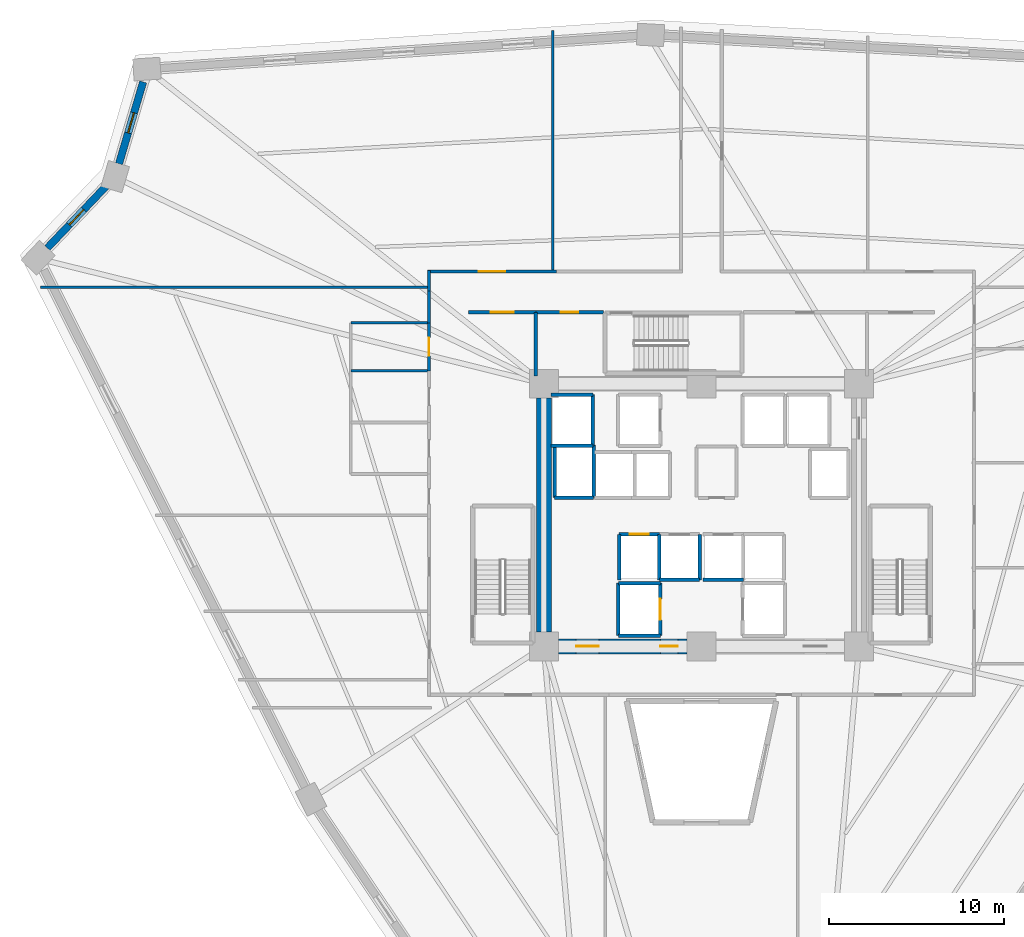
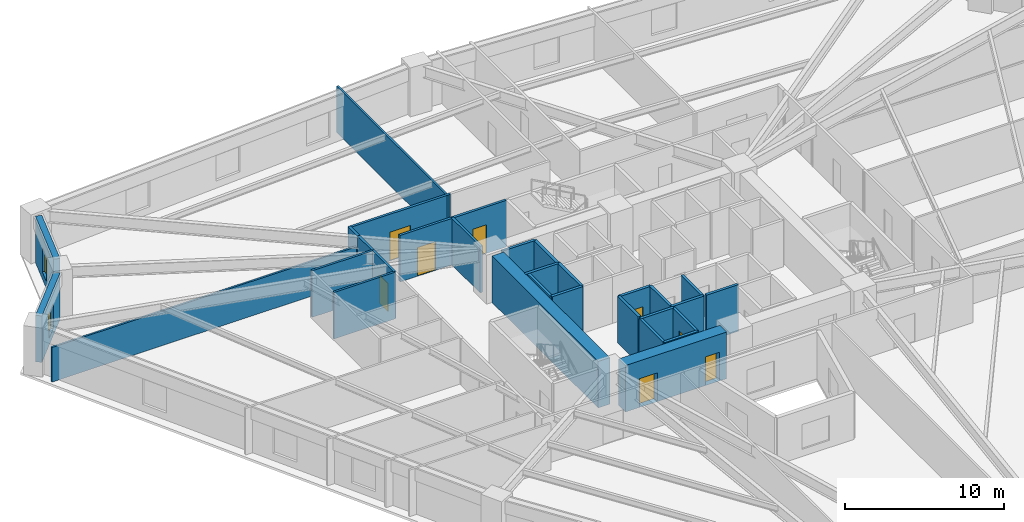
# One storey, part 4 of 8: 31 walls, 8 doors, 2 windows, 10 openings.
"""IFC4 building model written with IfcOpenShell, lengths in metres."""

from ifc_helpers import new_model, si_unit, direction, frame, frame_2d, origin, place, context, subcontext, project, spatial, rectangle, extrude, source, transform, mapped, material, layer, layer_set, type_object, element, fill, save


model = new_model("IFC4")

# Units and contexts
model_context = context("Model", 3, precision=1e-05, world=origin(), true_north=direction((0.0, 1.0)))
body_context = subcontext(model_context, "Body", "Model", "MODEL_VIEW")
ifc_project = project(units=[si_unit("LENGTHUNIT", "METRE"), si_unit("AREAUNIT", "SQUARE_METRE"), si_unit("VOLUMEUNIT", "CUBIC_METRE"), si_unit("PLANEANGLEUNIT", "RADIAN"), si_unit("MASSUNIT", "GRAM", prefix="KILO")], contexts=[model_context])

# Site, building, storey
site_placement = place(None, origin())
site = spatial("IfcSite", under=ifc_project, at=site_placement, CompositionType="ELEMENT")
building_placement = place(site_placement, origin())
building = spatial("IfcBuilding", under=site, at=building_placement, Name="Liaohun Quay Tower", CompositionType="ELEMENT")
storey_placement = place(building_placement, frame((0.0, 0.0, 81.75)))
storey = spatial("IfcBuildingStorey", under=building, at=storey_placement, Name="L21", CompositionType="ELEMENT", Elevation=81.75)

# Wall, openings, doors
ifc_material_1 = material(Name="Concrete C60", Category="concrete")
ifc_layer_1 = layer(ifc_material_1, 0.85009765625, Name="Concrete C60", Category="concrete")
ifc_layer_set_1 = layer_set([ifc_layer_1], Name="Concrete C60")
wall_type_1 = type_object("IfcWallType", Name="WAL-COR-Z1", PredefinedType="SHEAR", material=ifc_layer_set_1)
wall_1_placement = place(storey_placement, frame((59.175048828125, 46.5, 0.0), z_axis=(0.0, 0.0, 1.0), x_axis=(-1.0, 0.0, 0.0)))
wall_1 = element("IfcWall", 1, at=wall_1_placement, inside=storey, type_object=wall_type_1, Name="L21 Central Core Shear Wall S-W", PredefinedType="SHEAR", context=body_context, shape_type="SweptSolid", body=[
    extrude(rectangle(XDim=7.35009765625, YDim=0.85009765625, at=frame_2d((3.675048828125, 0.0))), origin(), (0.0, 0.0, 1.0), 3.570068359375),
])
shared_shape_1 = source(origin(), body_context, "Body", "SweptSolid", [
    extrude(rectangle(XDim=1.300048828125, YDim=2.199951171875, at=frame_2d((0.64990234375, 1.10009765625))), frame((0.0, 0.43505859375, 0.0), z_axis=(0.0, -1.0, 0.0), x_axis=(1.0, 0.0, 0.0)), (0.0, 0.0, 1.0), 0.8701171875),
])
opening_1_placement = place(wall_1_placement, frame((5.02490234375, 0.0, 0.0)))
opening_1 = element("IfcOpeningElement", 2, at=opening_1_placement, cuts=wall_1, Name="Opening FD1", PredefinedType="OPENING", context=body_context, shape_type="MappedRepresentation", body=[
    mapped(shared_shape_1, transform((0.0, 0.0, 0.0), x_axis=(1.0, 0.0, 0.0), y_axis=(0.0, 1.0, 0.0), z_axis=(0.0, 0.0, 1.0), scale=1.0)),
])
shared_shape_2 = source(origin(), body_context, "Body", "SweptSolid", [
    extrude(rectangle(XDim=1.0, YDim=2.199951171875, at=frame_2d((0.5, 1.10009765625))), frame((0.0, 0.43505859375, 0.0), z_axis=(0.0, -1.0, 0.0), x_axis=(1.0, 0.0, 0.0)), (0.0, 0.0, 1.0), 0.8701171875),
])
opening_2_placement = place(wall_1_placement, frame((0.52490234375, 0.0, 0.0)))
opening_2 = element("IfcOpeningElement", 3, at=opening_2_placement, cuts=wall_1, Name="Opening FD2", PredefinedType="OPENING", context=body_context, shape_type="MappedRepresentation", body=[
    mapped(shared_shape_2, transform((0.0, 0.0, 0.0), x_axis=(1.0, 0.0, 0.0), y_axis=(0.0, 1.0, 0.0), z_axis=(0.0, 0.0, 1.0), scale=1.0)),
])
ifc_material_2 = material(Name="Galvanised steel smokeproof fire door", Category="steel")
door_type_1 = type_object("IfcDoorType", Name="DOR-FFL-1300", OperationType="NOTDEFINED", PredefinedType="DOOR", material=ifc_material_2)
shared_shape_3 = source(origin(), body_context, "Body", "SweptSolid", [
    extrude(rectangle(XDim=1.300048828125, YDim=2.199951171875, at=frame_2d((0.64990234375, 1.10009765625))), frame((0.0, 0.02490234375, 0.0), z_axis=(0.0, -1.0, 0.0), x_axis=(1.0, 0.0, 0.0)), (0.0, 0.0, 1.0), 0.050048828125),
])
door_1_placement = place(opening_1_placement, origin())
door_1 = element("IfcDoor", 4, at=door_1_placement, inside=storey, type_object=door_type_1, Name="L21 West Core Lift Lobby Smokeproof Door", OperationType="SINGLE_SWING_RIGHT", OverallHeight=2.199951171875, OverallWidth=1.300048828125, PredefinedType="DOOR", context=body_context, shape_type="MappedRepresentation", body=[
    mapped(shared_shape_3, transform((0.0, 0.0, 0.0), x_axis=(1.0, 0.0, 0.0), y_axis=(0.0, 1.0, 0.0), z_axis=(0.0, 0.0, 1.0), scale=1.0)),
])
fill(opening_1, door_1)
ifc_material_3 = material(Name="Galvanised steel smokeproof lobby fire door", Category="steel")
door_type_2 = type_object("IfcDoorType", Name="DOR-FFL-1000", OperationType="NOTDEFINED", PredefinedType="DOOR", material=ifc_material_3)
shared_shape_4 = source(origin(), body_context, "Body", "SweptSolid", [
    extrude(rectangle(XDim=1.0, YDim=2.199951171875, at=frame_2d((0.5, 1.10009765625))), frame((0.0, 0.02490234375, 0.0), z_axis=(0.0, -1.0, 0.0), x_axis=(1.0, 0.0, 0.0)), (0.0, 0.0, 1.0), 0.050048828125),
])
door_2_placement = place(opening_2_placement, origin())
door_2 = element("IfcDoor", 5, at=door_2_placement, inside=storey, type_object=door_type_2, Name="L21 South Firefighting Lobby Smokeproof Door", OperationType="SINGLE_SWING_LEFT", OverallHeight=2.199951171875, OverallWidth=1.0, PredefinedType="DOOR", context=body_context, shape_type="MappedRepresentation", body=[
    mapped(shared_shape_4, transform((0.0, 0.0, 0.0), x_axis=(1.0, 0.0, 0.0), y_axis=(0.0, 1.0, 0.0), z_axis=(0.0, 0.0, 1.0), scale=1.0)),
])
fill(opening_2, door_2)

# Wall
wall_2_placement = place(storey_placement, frame((51.0, 47.324951171875, 0.0), z_axis=(0.0, 0.0, 1.0), x_axis=(0.0, 1.0, 0.0)))
element("IfcWall", 6, at=wall_2_placement, inside=storey, type_object=wall_type_1, Name="L21 Central Core Shear Wall W", PredefinedType="SHEAR", context=body_context, shape_type="SweptSolid", body=[
    extrude(rectangle(XDim=13.35009765625, YDim=0.85009765625, at=frame_2d((6.675048828125, 0.0))), origin(), (0.0, 0.0, 1.0), 3.570068359375),
])

# Wall, opening, window
ifc_material_4 = material(Name="Precast concrete C50 insulated sandwich", Category="concrete")
ifc_layer_2 = layer(ifc_material_4, 0.419921875, Name="Precast concrete C50 insulated sandwich", Category="concrete")
ifc_layer_set_2 = layer_set([ifc_layer_2], Name="Precast concrete C50 insulated sandwich")
wall_type_2 = type_object("IfcWallType", Name="WAL-EXT-Z12", PredefinedType="SOLIDWALL", material=ifc_layer_set_2)
wall_3_placement = place(storey_placement, frame((28.1201171875, 78.73291015625, 0.0), z_axis=(0.0, 0.0, 1.0), x_axis=(-0.282885215884, -0.959153770067, 0.0)))
wall_3 = element("IfcWall", 7, at=wall_3_placement, inside=storey, type_object=wall_type_2, Name="L21 Brutalist Precast Pier Wall 08", PredefinedType="SOLIDWALL", context=body_context, shape_type="SweptSolid", body=[
    extrude(rectangle(XDim=4.871826171875, YDim=0.419921875, at=frame_2d((2.43603515625, 0.0))), origin(), (0.0, 0.0, 1.0), 3.570068359375),
])
shared_shape_5 = source(origin(), body_context, "Body", "SweptSolid", [
    extrude(rectangle(XDim=1.199951171875, YDim=1.89990234375, at=frame_2d((0.60009765625, 0.949951171875))), frame((0.0, 0.219970703125, 0.0), z_axis=(0.0, -1.0, 0.0), x_axis=(1.0, 0.0, 0.0)), (0.0, 0.0, 1.0), 0.43994140625),
])
opening_3_placement = place(wall_3_placement, frame((1.8359375, 0.0, 0.550048828125)))
opening_3 = element("IfcOpeningElement", 8, at=opening_3_placement, cuts=wall_3, Name="Opening W05", PredefinedType="OPENING", context=body_context, shape_type="MappedRepresentation", body=[
    mapped(shared_shape_5, transform((0.0, 0.0, 0.0), x_axis=(1.0, 0.0, 0.0), y_axis=(0.0, 1.0, 0.0), z_axis=(0.0, 0.0, 1.0), scale=1.0)),
])
ifc_material_5 = material(Name="Triple Low-E corner notch glazing", Category="glass")
window_type = type_object("IfcWindowType", Name="WIN-NOTCH", PartitioningType="SINGLE_PANEL", PredefinedType="WINDOW", material=ifc_material_5)
shared_shape_6 = source(origin(), body_context, "Body", "SweptSolid", [
    extrude(rectangle(XDim=1.199951171875, YDim=1.89990234375, at=frame_2d((0.60009765625, 0.949951171875))), frame((0.0, 0.030029296875, 0.0), z_axis=(0.0, -1.0, 0.0), x_axis=(1.0, 0.0, 0.0)), (0.0, 0.0, 1.0), 0.06005859375),
])
window_1_placement = place(opening_3_placement, origin())
window_1 = element("IfcWindow", 9, at=window_1_placement, inside=storey, type_object=window_type, Name="L21 Corner Notch Window W05-08", OverallHeight=1.89990234375, OverallWidth=1.199951171875, PartitioningType="SINGLE_PANEL", PredefinedType="WINDOW", context=body_context, shape_type="MappedRepresentation", body=[
    mapped(shared_shape_6, transform((0.0, 0.0, 0.0), x_axis=(1.0, 0.0, 0.0), y_axis=(0.0, 1.0, 0.0), z_axis=(0.0, 0.0, 1.0), scale=1.0)),
])
fill(opening_3, window_1)

wall_4_placement = place(storey_placement, frame((25.9990234375, 72.77197265625, 0.0), z_axis=(0.0, 0.0, 1.0), x_axis=(-0.689326835279, -0.724450491175, 0.0)))
wall_4 = element("IfcWall", 10, at=wall_4_placement, inside=storey, type_object=wall_type_2, Name="L21 Brutalist Precast Pier Wall 09", PredefinedType="SOLIDWALL", context=body_context, shape_type="SweptSolid", body=[
    extrude(rectangle(XDim=4.86572265625, YDim=0.419921875, at=frame_2d((2.432861328125, 0.0))), origin(), (0.0, 0.0, 1.0), 3.570068359375),
])
opening_4_placement = place(wall_4_placement, frame((1.8330078125, 0.0, 0.550048828125)))
opening_4 = element("IfcOpeningElement", 11, at=opening_4_placement, cuts=wall_4, Name="Opening W05", PredefinedType="OPENING", context=body_context, shape_type="MappedRepresentation", body=[
    mapped(shared_shape_5, transform((0.0, 0.0, 0.0), x_axis=(1.0, 0.0, 0.0), y_axis=(0.0, 1.0, 0.0), z_axis=(0.0, 0.0, 1.0), scale=1.0)),
])
window_2_placement = place(opening_4_placement, origin())
window_2 = element("IfcWindow", 12, at=window_2_placement, inside=storey, type_object=window_type, Name="L21 Corner Notch Window W05-09", OverallHeight=1.89990234375, OverallWidth=1.199951171875, PartitioningType="SINGLE_PANEL", PredefinedType="WINDOW", context=body_context, shape_type="MappedRepresentation", body=[
    mapped(shared_shape_6, transform((0.0, 0.0, 0.0), x_axis=(1.0, 0.0, 0.0), y_axis=(0.0, 1.0, 0.0), z_axis=(0.0, 0.0, 1.0), scale=1.0)),
])
fill(opening_4, window_2)

# Wall, opening, door
ifc_material_6 = material(Name="Autoclaved aerated concrete blockwork", Category="masonry")
ifc_layer_3 = layer(ifc_material_6, 0.179931640625, Name="Autoclaved aerated concrete blockwork", Category="masonry")
ifc_layer_set_3 = layer_set([ifc_layer_3], Name="Autoclaved aerated concrete blockwork")
wall_type_3 = type_object("IfcWallType", Name="WAL-PRT-COR", PredefinedType="PARTITIONING", material=ifc_layer_set_3)
wall_5_placement = place(storey_placement, frame((50.5400390625, 65.580078125, 0.0), z_axis=(0.0, 0.0, 1.0), x_axis=(1.0, 0.0, 0.0)))
wall_5 = element("IfcWall", 13, at=wall_5_placement, inside=storey, type_object=wall_type_3, Name="L21 Interior Partition Wall 005", PredefinedType="PARTITIONING", context=body_context, shape_type="SweptSolid", body=[
    extrude(rectangle(XDim=3.869873046875, YDim=0.179931640625, at=frame_2d((1.93505859375, 0.0))), origin(), (0.0, 0.0, 1.0), 3.570068359375),
])
shared_shape_7 = source(origin(), body_context, "Body", "SweptSolid", [
    extrude(rectangle(XDim=1.0, YDim=2.199951171875, at=frame_2d((0.5, 1.10009765625))), frame((0.0, 0.099853515625, 0.0), z_axis=(0.0, -1.0, 0.0), x_axis=(1.0, 0.0, 0.0)), (0.0, 0.0, 1.0), 0.199951171875),
])
opening_5_placement = place(wall_5_placement, frame((1.43505859375, 0.0, 0.0)))
opening_5 = element("IfcOpeningElement", 14, at=opening_5_placement, cuts=wall_5, Name="Opening OD1", PredefinedType="OPENING", context=body_context, shape_type="MappedRepresentation", body=[
    mapped(shared_shape_7, transform((0.0, 0.0, 0.0), x_axis=(1.0, 0.0, 0.0), y_axis=(0.0, 1.0, 0.0), z_axis=(0.0, 0.0, 1.0), scale=1.0)),
])
ifc_material_7 = material(Name="Solid-core oak veneer timber leaf in steel frame", Category="steel")
door_type_3 = type_object("IfcDoorType", Name="DOR-OFF-1000", OperationType="NOTDEFINED", PredefinedType="DOOR", material=ifc_material_7)
door_3_placement = place(opening_5_placement, origin())
door_3 = element("IfcDoor", 15, at=door_3_placement, inside=storey, type_object=door_type_3, Name="L21 North-West Print and Telecom Room Door", OperationType="SINGLE_SWING_LEFT", OverallHeight=2.199951171875, OverallWidth=1.0, PredefinedType="DOOR", context=body_context, shape_type="MappedRepresentation", body=[
    mapped(shared_shape_4, transform((0.0, 0.0, 0.0), x_axis=(1.0, 0.0, 0.0), y_axis=(0.0, 1.0, 0.0), z_axis=(0.0, 0.0, 1.0), scale=1.0)),
])
fill(opening_5, door_3)

wall_6_placement = place(storey_placement, frame((46.699951171875, 65.580078125, 0.0), z_axis=(0.0, 0.0, 1.0), x_axis=(1.0, 0.0, 0.0)))
wall_6 = element("IfcWall", 16, at=wall_6_placement, inside=storey, type_object=wall_type_3, Name="L21 Interior Partition Wall 007", PredefinedType="PARTITIONING", context=body_context, shape_type="SweptSolid", body=[
    extrude(rectangle(XDim=3.840087890625, YDim=0.179931640625, at=frame_2d((1.919921875, 0.0))), origin(), (0.0, 0.0, 1.0), 3.570068359375),
])
shared_shape_8 = source(origin(), body_context, "Body", "SweptSolid", [
    extrude(rectangle(XDim=1.300048828125, YDim=2.199951171875, at=frame_2d((0.64990234375, 1.10009765625))), frame((0.0, 0.099853515625, 0.0), z_axis=(0.0, -1.0, 0.0), x_axis=(1.0, 0.0, 0.0)), (0.0, 0.0, 1.0), 0.199951171875),
])
opening_6_placement = place(wall_6_placement, frame((1.27001953125, 0.0, 0.0)))
opening_6 = element("IfcOpeningElement", 17, at=opening_6_placement, cuts=wall_6, Name="Opening FD1", PredefinedType="OPENING", context=body_context, shape_type="MappedRepresentation", body=[
    mapped(shared_shape_8, transform((0.0, 0.0, 0.0), x_axis=(1.0, 0.0, 0.0), y_axis=(0.0, 1.0, 0.0), z_axis=(0.0, 0.0, 1.0), scale=1.0)),
])
door_4_placement = place(opening_6_placement, origin())
door_4 = element("IfcDoor", 18, at=door_4_placement, inside=storey, type_object=door_type_1, Name="L21 West Core Vestibule Door", OperationType="SINGLE_SWING_LEFT", OverallHeight=2.199951171875, OverallWidth=1.300048828125, PredefinedType="DOOR", context=body_context, shape_type="MappedRepresentation", body=[
    mapped(shared_shape_3, transform((0.0, 0.0, 0.0), x_axis=(1.0, 0.0, 0.0), y_axis=(0.0, 1.0, 0.0), z_axis=(0.0, 0.0, 1.0), scale=1.0)),
])
fill(opening_6, door_4)

wall_7_placement = place(storey_placement, frame((44.3701171875, 67.909912109375, 0.0), z_axis=(0.0, 0.0, 1.0), x_axis=(1.0, 0.0, 0.0)))
wall_7 = element("IfcWall", 19, at=wall_7_placement, inside=storey, type_object=wall_type_3, Name="L21 Interior Partition Wall 015", PredefinedType="PARTITIONING", context=body_context, shape_type="SweptSolid", body=[
    extrude(rectangle(XDim=7.344970703125, YDim=0.179931640625, at=frame_2d((3.67236328125, 0.0))), origin(), (0.0, 0.0, 1.0), 3.570068359375),
])
shared_shape_9 = source(origin(), body_context, "Body", "SweptSolid", [
    extrude(rectangle(XDim=1.5, YDim=2.199951171875, at=frame_2d((0.75, 1.10009765625))), frame((0.0, 0.099853515625, 0.0), z_axis=(0.0, -1.0, 0.0), x_axis=(1.0, 0.0, 0.0)), (0.0, 0.0, 1.0), 0.199951171875),
])
opening_7_placement = place(wall_7_placement, frame((2.923095703125, 0.0, 0.0)))
opening_7 = element("IfcOpeningElement", 20, at=opening_7_placement, cuts=wall_7, Name="Opening OD2", PredefinedType="OPENING", context=body_context, shape_type="MappedRepresentation", body=[
    mapped(shared_shape_9, transform((0.0, 0.0, 0.0), x_axis=(1.0, 0.0, 0.0), y_axis=(0.0, 1.0, 0.0), z_axis=(0.0, 0.0, 1.0), scale=1.0)),
])
ifc_material_8 = material(Name="Acoustic oak veneer double door")
door_type_4 = type_object("IfcDoorType", Name="DOR-OFF-1500", OperationType="DOUBLE_DOOR_SINGLE_SWING", PredefinedType="DOOR", material=ifc_material_8)
shared_shape_10 = source(origin(), body_context, "Body", "SweptSolid", [
    extrude(rectangle(XDim=1.5, YDim=2.199951171875, at=frame_2d((0.75, 1.10009765625))), frame((0.0, 0.02490234375, 0.0), z_axis=(0.0, -1.0, 0.0), x_axis=(1.0, 0.0, 0.0)), (0.0, 0.0, 1.0), 0.050048828125),
])
door_5_placement = place(opening_7_placement, origin())
door_5 = element("IfcDoor", 21, at=door_5_placement, inside=storey, type_object=door_type_4, Name="L21 Architectural Design Studio 07 Door", OperationType="DOUBLE_DOOR_SINGLE_SWING", OverallHeight=2.199951171875, OverallWidth=1.5, PredefinedType="DOOR", context=body_context, shape_type="MappedRepresentation", body=[
    mapped(shared_shape_10, transform((0.0, 0.0, 0.0), x_axis=(1.0, 0.0, 0.0), y_axis=(0.0, 1.0, 0.0), z_axis=(0.0, 0.0, 1.0), scale=1.0)),
])
fill(opening_7, door_5)

# Walls
wall_8_placement = place(storey_placement, frame((50.5400390625, 61.949951171875, 0.0), z_axis=(0.0, 0.0, 1.0), x_axis=(0.0, 1.0, 0.0)))
element("IfcWall", 22, at=wall_8_placement, inside=storey, type_object=wall_type_3, Name="L21 Interior Partition Wall 031", PredefinedType="PARTITIONING", context=body_context, shape_type="SweptSolid", body=[
    extrude(rectangle(XDim=3.630126953125, YDim=0.179931640625, at=frame_2d((1.81494140625, 0.0))), origin(), (0.0, 0.0, 1.0), 3.570068359375),
])
wall_9_placement = place(storey_placement, frame((44.43994140625, 66.784912109375, 0.0), z_axis=(0.0, 0.0, 1.0), x_axis=(0.0, 1.0, 0.0)))
element("IfcWall", 23, at=wall_9_placement, inside=storey, type_object=wall_type_3, Name="L21 Interior Partition Wall 036", PredefinedType="PARTITIONING", context=body_context, shape_type="SweptSolid", body=[
    extrude(rectangle(XDim=1.195068359375, YDim=0.179931640625, at=frame_2d((0.59765625, 0.0))), origin(), (0.0, 0.0, 1.0), 3.570068359375),
])
wall_10_placement = place(storey_placement, frame((44.43994140625, 64.97998046875, 0.0), z_axis=(0.0, 0.0, 1.0), x_axis=(0.0, 1.0, 0.0)))
element("IfcWall", 24, at=wall_10_placement, inside=storey, type_object=wall_type_3, Name="L21 Interior Partition Wall 037", PredefinedType="PARTITIONING", context=body_context, shape_type="SweptSolid", body=[
    extrude(rectangle(XDim=1.804931640625, YDim=0.179931640625, at=frame_2d((0.90234375, 0.0))), origin(), (0.0, 0.0, 1.0), 3.570068359375),
])
ifc_material_9 = material(Name="Gypsum board on twin steel studs", Category="steel")
ifc_layer_4 = layer(ifc_material_9, 0.139892578125, Name="Gypsum board on twin steel studs", Category="steel")
ifc_layer_set_4 = layer_set([ifc_layer_4], Name="Gypsum board on twin steel studs")
wall_type_4 = type_object("IfcWallType", Name="WAL-PRT-OFF", PredefinedType="PARTITIONING", material=ifc_layer_set_4)
wall_11_placement = place(storey_placement, frame((44.5400390625, 67.0, 0.0), z_axis=(0.0, 0.0, 1.0), x_axis=(-1.0, 0.0, 0.0)))
element("IfcWall", 25, at=wall_11_placement, inside=storey, type_object=wall_type_4, Name="L21 Interior Partition Wall 044", PredefinedType="PARTITIONING", context=body_context, shape_type="SweptSolid", body=[
    extrude(rectangle(XDim=22.27392578125, YDim=0.139892578125, at=frame_2d((11.136962890625, 0.0))), origin(), (0.0, 0.0, 1.0), 2.655029296875),
])
wall_12_placement = place(storey_placement, frame((51.5, 67.81005859375, 0.0), z_axis=(0.0, 0.0, 1.0), x_axis=(0.0, 1.0, 0.0)))
element("IfcWall", 26, at=wall_12_placement, inside=storey, type_object=wall_type_4, Name="L21 Interior Partition Wall 050", PredefinedType="PARTITIONING", context=body_context, shape_type="SweptSolid", body=[
    extrude(rectangle(XDim=13.85986328125, YDim=0.139892578125, at=frame_2d((6.929931640625, 0.0))), origin(), (0.0, 0.0, 1.0), 3.570068359375),
])

# Wall, opening, door
ifc_material_10 = material(Name="Moisture-resistant masonry blockwork", Category="masonry")
ifc_layer_5 = layer(ifc_material_10, 0.159912109375, Name="Moisture-resistant masonry blockwork", Category="masonry")
ifc_layer_set_5 = layer_set([ifc_layer_5], Name="Moisture-resistant masonry blockwork")
wall_type_5 = type_object("IfcWallType", Name="WAL-PRT-WET", PredefinedType="PARTITIONING", material=ifc_layer_set_5)
wall_13_placement = place(storey_placement, frame((44.43994140625, 62.239990234375, 0.0), z_axis=(0.0, 0.0, 1.0), x_axis=(0.0, 1.0, 0.0)))
wall_13 = element("IfcWall", 27, at=wall_13_placement, inside=storey, type_object=wall_type_5, Name="L21 Interior Partition Wall 004", PredefinedType="PARTITIONING", context=body_context, shape_type="SweptSolid", body=[
    extrude(rectangle(XDim=2.739990234375, YDim=0.159912109375, at=frame_2d((1.3701171875, 0.0))), origin(), (0.0, 0.0, 1.0), 3.570068359375),
])
shared_shape_11 = source(origin(), body_context, "Body", "SweptSolid", [
    extrude(rectangle(XDim=1.050048828125, YDim=2.14990234375, at=frame_2d((0.52490234375, 1.074951171875))), frame((0.0, 0.08984375, 0.0), z_axis=(0.0, -1.0, 0.0), x_axis=(1.0, 0.0, 0.0)), (0.0, 0.0, 1.0), 0.179931640625),
])
opening_8_placement = place(wall_13_placement, frame((0.844970703125, 0.0, 0.0)))
opening_8 = element("IfcOpeningElement", 28, at=opening_8_placement, cuts=wall_13, Name="Opening WD2", PredefinedType="OPENING", context=body_context, shape_type="MappedRepresentation", body=[
    mapped(shared_shape_11, transform((0.0, 0.0, 0.0), x_axis=(1.0, 0.0, 0.0), y_axis=(0.0, 1.0, 0.0), z_axis=(0.0, 0.0, 1.0), scale=1.0)),
])
ifc_material_11 = material(Name="Accessible outward-swinging laminate door")
door_type_5 = type_object("IfcDoorType", Name="DOR-AWC-1050", OperationType="NOTDEFINED", PredefinedType="DOOR", material=ifc_material_11)
shared_shape_12 = source(origin(), body_context, "Body", "SweptSolid", [
    extrude(rectangle(XDim=1.050048828125, YDim=2.14990234375, at=frame_2d((0.52490234375, 1.074951171875))), frame((0.0, 0.02490234375, 0.0), z_axis=(0.0, -1.0, 0.0), x_axis=(1.0, 0.0, 0.0)), (0.0, 0.0, 1.0), 0.050048828125),
])
door_6_placement = place(opening_8_placement, origin())
door_6 = element("IfcDoor", 29, at=door_6_placement, inside=storey, type_object=door_type_5, Name="L21 Accessible WC Door", OperationType="SINGLE_SWING_RIGHT", OverallHeight=2.14990234375, OverallWidth=1.050048828125, PredefinedType="DOOR", context=body_context, shape_type="MappedRepresentation", body=[
    mapped(shared_shape_12, transform((0.0, 0.0, 0.0), x_axis=(1.0, 0.0, 0.0), y_axis=(0.0, 1.0, 0.0), z_axis=(0.0, 0.0, 1.0), scale=1.0)),
])
fill(opening_8, door_6)

# Walls
for number, where, z_axis, x_axis, name in (
    (30, (39.97998046875, 62.239990234375, 0.0), (0.0, 0.0, 1.0), (1.0, 0.0, 0.0), "L21 Interior Partition Wall 029"),
    (31, (39.97998046875, 64.97998046875, 0.0), (0.0, 0.0, 1.0), (1.0, 0.0, 0.0), "L21 Interior Partition Wall 030"),
):
    element("IfcWall", number, at=place(storey_placement, frame(where, z_axis=z_axis, x_axis=x_axis)), inside=storey, type_object=wall_type_5, Name=name, PredefinedType="PARTITIONING", context=body_context, shape_type="SweptSolid", body=[
        extrude(rectangle(XDim=4.4599609375, YDim=0.159912109375, at=frame_2d((2.22998046875, 0.0))), origin(), (0.0, 0.0, 1.0), 3.570068359375),
    ])
ifc_material_12 = material(Name="Concrete C50", Category="concrete")
ifc_layer_6 = layer(ifc_material_12, 0.239990234375, Name="Concrete C50", Category="concrete")
ifc_layer_set_6 = layer_set([ifc_layer_6], Name="Concrete C50")
wall_type_6 = type_object("IfcWallType", Name="WAL-SHF-200", PredefinedType="SOLIDWALL", material=ifc_layer_set_6)
wall_14_placement = place(storey_placement, frame((55.25, 47.1201171875, 0.0), z_axis=(0.0, 0.0, 1.0), x_axis=(1.0, 0.0, 0.0)))
element("IfcWall", 32, at=wall_14_placement, inside=storey, type_object=wall_type_6, Name="L21 Lift FF-01 Hoistway Wall S", PredefinedType="SOLIDWALL", context=body_context, shape_type="SweptSolid", body=[
    extrude(rectangle(XDim=2.39990234375, YDim=0.199951171875, at=frame_2d((1.199951171875, 0.0))), origin(), (0.0, 0.0, 1.0), 3.570068359375),
])

# Wall, opening, door
wall_15_placement = place(storey_placement, frame((57.64990234375, 47.1201171875, 0.0), z_axis=(0.0, 0.0, 1.0), x_axis=(0.0, 1.0, 0.0)))
wall_15 = element("IfcWall", 33, at=wall_15_placement, inside=storey, type_object=wall_type_6, Name="L21 Lift FF-01 Hoistway Wall E", PredefinedType="SOLIDWALL", context=body_context, shape_type="SweptSolid", body=[
    extrude(rectangle(XDim=3.0, YDim=0.199951171875, at=frame_2d((1.5, 0.0))), origin(), (0.0, 0.0, 1.0), 3.570068359375),
])
shared_shape_13 = source(origin(), body_context, "Body", "SweptSolid", [
    extrude(rectangle(XDim=1.199951171875, YDim=2.300048828125, at=frame_2d((0.60009765625, 1.14990234375))), frame((0.0, 0.10986328125, 0.0), z_axis=(0.0, -1.0, 0.0), x_axis=(1.0, 0.0, 0.0)), (0.0, 0.0, 1.0), 0.219970703125),
])
opening_9_placement = place(wall_15_placement, frame((0.89990234375, 0.0, 0.0)))
opening_9 = element("IfcOpeningElement", 34, at=opening_9_placement, cuts=wall_15, Name="Opening LD2", PredefinedType="OPENING", context=body_context, shape_type="MappedRepresentation", body=[
    mapped(shared_shape_13, transform((0.0, 0.0, 0.0), x_axis=(1.0, 0.0, 0.0), y_axis=(0.0, 1.0, 0.0), z_axis=(0.0, 0.0, 1.0), scale=1.0)),
])
ifc_material_13 = material(Name="Brushed stainless steel stretcher landing door", Category="steel")
door_type_6 = type_object("IfcDoorType", Name="DOR-LFT-1200", OperationType="SLIDING_TO_LEFT", PredefinedType="DOOR", material=ifc_material_13)
shared_shape_14 = source(origin(), body_context, "Body", "SweptSolid", [
    extrude(rectangle(XDim=1.199951171875, YDim=2.300048828125, at=frame_2d((0.60009765625, 1.14990234375))), frame((0.0, 0.02490234375, 0.0), z_axis=(0.0, -1.0, 0.0), x_axis=(1.0, 0.0, 0.0)), (0.0, 0.0, 1.0), 0.050048828125),
])
door_7_placement = place(opening_9_placement, origin())
door_7 = element("IfcDoor", 35, at=door_7_placement, inside=storey, type_object=door_type_6, Name="L21 Lift FF-01 Sliding Landing Door", OperationType="SLIDING_TO_LEFT", OverallHeight=2.300048828125, OverallWidth=1.199951171875, PredefinedType="DOOR", context=body_context, shape_type="MappedRepresentation", body=[
    mapped(shared_shape_14, transform((0.0, 0.0, 0.0), x_axis=(1.0, 0.0, 0.0), y_axis=(0.0, 1.0, 0.0), z_axis=(0.0, 0.0, 1.0), scale=1.0)),
])
fill(opening_9, door_7)

# Walls
wall_16_placement = place(storey_placement, frame((57.64990234375, 50.1201171875, 0.0), z_axis=(0.0, 0.0, 1.0), x_axis=(-1.0, 0.0, 0.0)))
element("IfcWall", 36, at=wall_16_placement, inside=storey, type_object=wall_type_6, Name="L21 Lift FF-01 Hoistway Wall N", PredefinedType="SOLIDWALL", context=body_context, shape_type="SweptSolid", body=[
    extrude(rectangle(XDim=2.39990234375, YDim=0.199951171875, at=frame_2d((1.199951171875, 0.0))), origin(), (0.0, 0.0, 1.0), 3.570068359375),
])
wall_17_placement = place(storey_placement, frame((55.25, 50.1201171875, 0.0), z_axis=(0.0, 0.0, 1.0), x_axis=(0.0, -1.0, 0.0)))
element("IfcWall", 37, at=wall_17_placement, inside=storey, type_object=wall_type_6, Name="L21 Lift FF-01 Hoistway Wall W", PredefinedType="SOLIDWALL", context=body_context, shape_type="SweptSolid", body=[
    extrude(rectangle(XDim=3.0, YDim=0.199951171875, at=frame_2d((1.5, 0.0))), origin(), (0.0, 0.0, 1.0), 3.570068359375),
])
wall_18_placement = place(storey_placement, frame((51.39990234375, 57.949951171875, 0.0), z_axis=(0.0, 0.0, 1.0), x_axis=(1.0, 0.0, 0.0)))
element("IfcWall", 38, at=wall_18_placement, inside=storey, type_object=wall_type_6, Name="L21 Lift SH-01 Hoistway Wall S", PredefinedType="SOLIDWALL", context=body_context, shape_type="SweptSolid", body=[
    extrude(rectangle(XDim=2.400146484375, YDim=0.199951171875, at=frame_2d((1.2001953125, 0.0))), origin(), (0.0, 0.0, 1.0), 3.570068359375),
])
wall_19_placement = place(storey_placement, frame((53.800048828125, 57.949951171875, 0.0), z_axis=(0.0, 0.0, 1.0), x_axis=(0.0, 1.0, 0.0)))
element("IfcWall", 39, at=wall_19_placement, inside=storey, type_object=wall_type_6, Name="L21 Lift SH-01 Hoistway Wall E", PredefinedType="SOLIDWALL", context=body_context, shape_type="SweptSolid", body=[
    extrude(rectangle(XDim=2.929931640625, YDim=0.199951171875, at=frame_2d((1.46484375, 0.0))), origin(), (0.0, 0.0, 1.0), 3.570068359375),
])
wall_20_placement = place(storey_placement, frame((53.800048828125, 60.8798828125, 0.0), z_axis=(0.0, 0.0, 1.0), x_axis=(-1.0, 0.0, 0.0)))
element("IfcWall", 40, at=wall_20_placement, inside=storey, type_object=wall_type_6, Name="L21 Lift SH-01 Hoistway Wall N", PredefinedType="SOLIDWALL", context=body_context, shape_type="SweptSolid", body=[
    extrude(rectangle(XDim=2.400146484375, YDim=0.199951171875, at=frame_2d((1.2001953125, 0.0))), origin(), (0.0, 0.0, 1.0), 3.570068359375),
])
wall_21_placement = place(storey_placement, frame((51.6201171875, 55.0, 0.0), z_axis=(0.0, 0.0, 1.0), x_axis=(1.0, 0.0, 0.0)))
element("IfcWall", 41, at=wall_21_placement, inside=storey, type_object=wall_type_6, Name="L21 Lift SH-02 Hoistway Wall S", PredefinedType="SOLIDWALL", context=body_context, shape_type="SweptSolid", body=[
    extrude(rectangle(XDim=2.22998046875, YDim=0.199951171875, at=frame_2d((1.114990234375, 0.0))), origin(), (0.0, 0.0, 1.0), 3.570068359375),
])
for number, where, z_axis, x_axis, name in (
    (42, (53.85009765625, 55.0, 0.0), (0.0, 0.0, 1.0), (0.0, 1.0, 0.0), "L21 Lift SH-02 Hoistway Wall E"),
    (43, (51.6201171875, 58.0, 0.0), (0.0, 0.0, 1.0), (0.0, -1.0, 0.0), "L21 Lift SH-02 Hoistway Wall W"),
):
    element("IfcWall", number, at=place(storey_placement, frame(where, z_axis=z_axis, x_axis=x_axis)), inside=storey, type_object=wall_type_6, Name=name, PredefinedType="SOLIDWALL", context=body_context, shape_type="SweptSolid", body=[
        extrude(rectangle(XDim=3.0, YDim=0.199951171875, at=frame_2d((1.5, 0.0))), origin(), (0.0, 0.0, 1.0), 3.570068359375),
    ])
wall_22_placement = place(storey_placement, frame((57.60009765625, 50.300048828125, 0.0), z_axis=(0.0, 0.0, 1.0), x_axis=(0.0, 1.0, 0.0)))
element("IfcWall", 44, at=wall_22_placement, inside=storey, type_object=wall_type_6, Name="L21 Lift PL-1A Hoistway Wall E", PredefinedType="SOLIDWALL", context=body_context, shape_type="SweptSolid", body=[
    extrude(rectangle(XDim=2.599853515625, YDim=0.199951171875, at=frame_2d((1.2998046875, 0.0))), origin(), (0.0, 0.0, 1.0), 3.570068359375),
])

# Wall, opening, door
wall_23_placement = place(storey_placement, frame((57.60009765625, 52.89990234375, 0.0), z_axis=(0.0, 0.0, 1.0), x_axis=(-1.0, 0.0, 0.0)))
wall_23 = element("IfcWall", 45, at=wall_23_placement, inside=storey, type_object=wall_type_6, Name="L21 Lift PL-1A Hoistway Wall N", PredefinedType="SOLIDWALL", context=body_context, shape_type="SweptSolid", body=[
    extrude(rectangle(XDim=2.300048828125, YDim=0.199951171875, at=frame_2d((1.14990234375, 0.0))), origin(), (0.0, 0.0, 1.0), 3.570068359375),
])
shared_shape_15 = source(origin(), body_context, "Body", "SweptSolid", [
    extrude(rectangle(XDim=1.10009765625, YDim=2.199951171875, at=frame_2d((0.550048828125, 1.10009765625))), frame((0.0, 0.10986328125, 0.0), z_axis=(0.0, -1.0, 0.0), x_axis=(1.0, 0.0, 0.0)), (0.0, 0.0, 1.0), 0.219970703125),
])
opening_10_placement = place(wall_23_placement, frame((0.60009765625, 0.0, 0.0)))
opening_10 = element("IfcOpeningElement", 46, at=opening_10_placement, cuts=wall_23, Name="Opening LD1", PredefinedType="OPENING", context=body_context, shape_type="MappedRepresentation", body=[
    mapped(shared_shape_15, transform((0.0, 0.0, 0.0), x_axis=(1.0, 0.0, 0.0), y_axis=(0.0, 1.0, 0.0), z_axis=(0.0, 0.0, 1.0), scale=1.0)),
])
ifc_material_14 = material(Name="Brushed stainless steel landing door", Category="steel")
door_type_7 = type_object("IfcDoorType", Name="DOR-LFT-1100", OperationType="SLIDING_TO_LEFT", PredefinedType="DOOR", material=ifc_material_14)
shared_shape_16 = source(origin(), body_context, "Body", "SweptSolid", [
    extrude(rectangle(XDim=1.10009765625, YDim=2.199951171875, at=frame_2d((0.550048828125, 1.10009765625))), frame((0.0, 0.02490234375, 0.0), z_axis=(0.0, -1.0, 0.0), x_axis=(1.0, 0.0, 0.0)), (0.0, 0.0, 1.0), 0.050048828125),
])
door_8_placement = place(opening_10_placement, origin())
door_8 = element("IfcDoor", 47, at=door_8_placement, inside=storey, type_object=door_type_7, Name="L21 Lift PL-1A Sliding Landing Door", OperationType="SLIDING_TO_LEFT", OverallHeight=2.199951171875, OverallWidth=1.10009765625, PredefinedType="DOOR", context=body_context, shape_type="MappedRepresentation", body=[
    mapped(shared_shape_16, transform((0.0, 0.0, 0.0), x_axis=(1.0, 0.0, 0.0), y_axis=(0.0, 1.0, 0.0), z_axis=(0.0, 0.0, 1.0), scale=1.0)),
])
fill(opening_10, door_8)

# Walls
wall_24_placement = place(storey_placement, frame((55.300048828125, 52.89990234375, 0.0), z_axis=(0.0, 0.0, 1.0), x_axis=(0.0, -1.0, 0.0)))
element("IfcWall", 48, at=wall_24_placement, inside=storey, type_object=wall_type_6, Name="L21 Lift PL-1A Hoistway Wall W", PredefinedType="SOLIDWALL", context=body_context, shape_type="SweptSolid", body=[
    extrude(rectangle(XDim=2.599853515625, YDim=0.199951171875, at=frame_2d((1.2998046875, 0.0))), origin(), (0.0, 0.0, 1.0), 3.570068359375),
])
wall_25_placement = place(storey_placement, frame((57.60009765625, 50.300048828125, 0.0), z_axis=(0.0, 0.0, 1.0), x_axis=(1.0, 0.0, 0.0)))
element("IfcWall", 49, at=wall_25_placement, inside=storey, type_object=wall_type_6, Name="L21 Lift PL-1B Hoistway Wall S", PredefinedType="SOLIDWALL", context=body_context, shape_type="SweptSolid", body=[
    extrude(rectangle(XDim=2.2998046875, YDim=0.199951171875, at=frame_2d((1.14990234375, 0.0))), origin(), (0.0, 0.0, 1.0), 3.570068359375),
])
wall_26_placement = place(storey_placement, frame((59.89990234375, 50.300048828125, 0.0), z_axis=(0.0, 0.0, 1.0), x_axis=(0.0, 1.0, 0.0)))
element("IfcWall", 50, at=wall_26_placement, inside=storey, type_object=wall_type_6, Name="L21 Lift PL-1B Hoistway Wall E", PredefinedType="SOLIDWALL", context=body_context, shape_type="SweptSolid", body=[
    extrude(rectangle(XDim=2.599853515625, YDim=0.199951171875, at=frame_2d((1.2998046875, 0.0))), origin(), (0.0, 0.0, 1.0), 3.570068359375),
])
wall_27_placement = place(storey_placement, frame((60.10009765625, 50.300048828125, 0.0), z_axis=(0.0, 0.0, 1.0), x_axis=(1.0, 0.0, 0.0)))
element("IfcWall", 51, at=wall_27_placement, inside=storey, type_object=wall_type_6, Name="L21 Lift PL-1C Hoistway Wall S", PredefinedType="SOLIDWALL", context=body_context, shape_type="SweptSolid", body=[
    extrude(rectangle(XDim=2.2998046875, YDim=0.199951171875, at=frame_2d((1.14990234375, 0.0))), origin(), (0.0, 0.0, 1.0), 3.570068359375),
])

save(model, "model.ifc")
